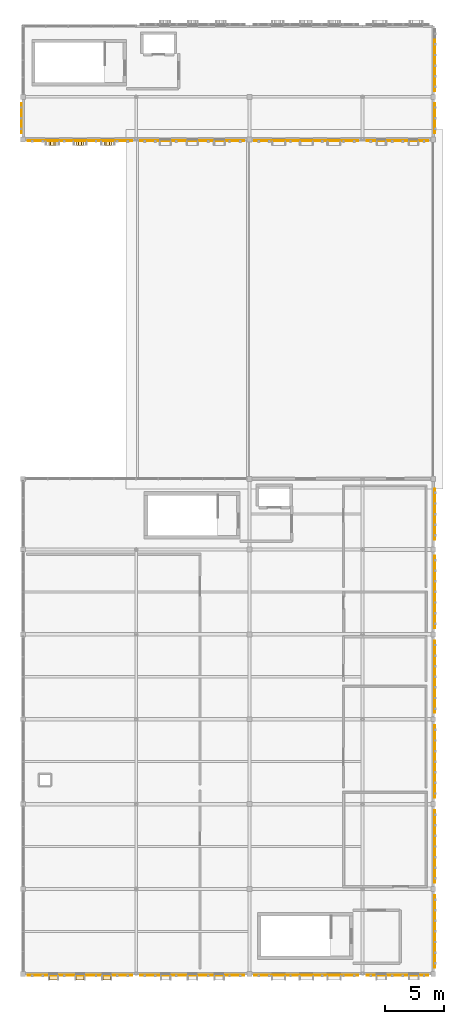
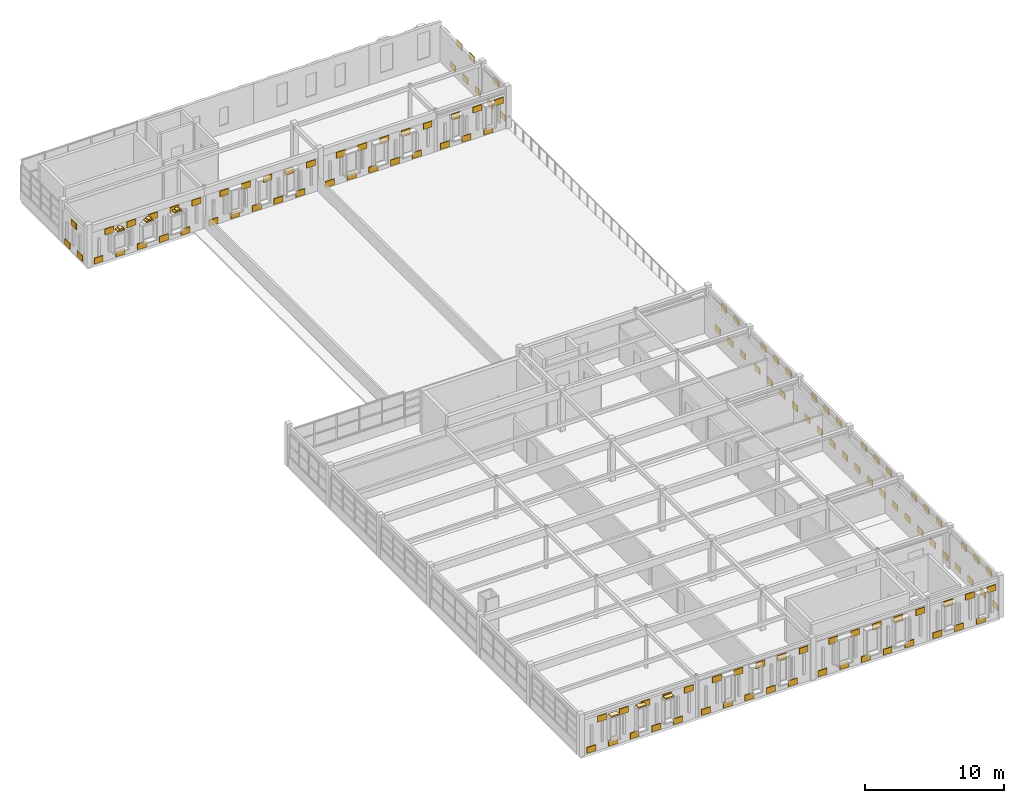
# One storey, part 24 of 25: 132 coverings.
"""IFC4 building model written with IfcOpenShell, lengths in metres."""

from ifc_helpers import new_model, si_unit, direction, frame, origin, origin_2d, place, context, subcontext, project, spatial, rectangle, extrude, material, layer, layer_set, type_object, element, save


model = new_model("IFC4")

# Units and contexts
model_context = context("Model", 3, precision=1e-05, world=origin(), true_north=direction((0.0, 1.0)))
body_context = subcontext(model_context, "Body", "Model", "MODEL_VIEW")
ifc_project = project(units=[si_unit("LENGTHUNIT", "METRE"), si_unit("AREAUNIT", "SQUARE_METRE"), si_unit("VOLUMEUNIT", "CUBIC_METRE"), si_unit("PLANEANGLEUNIT", "RADIAN"), si_unit("MASSUNIT", "GRAM", prefix="KILO")], contexts=[model_context])

# Site, building, storey
site_placement = place(None, origin())
site = spatial("IfcSite", under=ifc_project, at=site_placement, CompositionType="ELEMENT")
building_placement = place(site_placement, origin())
building = spatial("IfcBuilding", under=site, at=building_placement, Name="Nzembalo Square Collegiate School", CompositionType="ELEMENT")
storey_placement = place(building_placement, frame((0.0, 0.0, 21.080078125)))
storey = spatial("IfcBuildingStorey", under=building, at=storey_placement, Name="L05", CompositionType="ELEMENT", Elevation=21.080078125)

# Coverings
ifc_material_1 = material(Name="Glazed cobalt ceramic patterned tile")
ifc_layer_1 = layer(ifc_material_1, 0.074951171875, Name="Glazed cobalt ceramic patterned tile")
ifc_layer_set_1 = layer_set([ifc_layer_1], Name="Glazed cobalt ceramic patterned tile")
covering_type_1 = type_object("IfcCoveringType", Name="CL01", PredefinedType="CLADDING", material=ifc_layer_set_1)
for number, where, z_axis, x_axis, name in (
    (1, (165.735107421875, 9.300048828125, 0.099853515625), (0.0, 0.0, 1.0), (1.0, 0.0, 0.0), "Patterned ceramic tile CL01-Y0285-0-0"),
    (2, (165.735107421875, 10.199951171875, 2.533935546875), (0.0, 0.0, 1.0), (1.0, 0.0, 0.0), "Patterned ceramic tile CL01-Y0285-1-1"),
    (3, (165.735107421875, 11.10009765625, 0.099853515625), (0.0, 0.0, 1.0), (1.0, 0.0, 0.0), "Patterned ceramic tile CL01-Y0285-2-0"),
    (4, (165.735107421875, 12.0, 2.533935546875), (0.0, 0.0, 1.0), (1.0, 0.0, 0.0), "Patterned ceramic tile CL01-Y0285-3-1"),
    (5, (165.735107421875, 12.89990234375, 0.099853515625), (0.0, 0.0, 1.0), (1.0, 0.0, 0.0), "Patterned ceramic tile CL01-Y0285-4-0"),
    (6, (165.735107421875, 13.800048828125, 2.533935546875), (0.0, 0.0, 1.0), (1.0, 0.0, 0.0), "Patterned ceramic tile CL01-Y0285-5-1"),
    (7, (165.735107421875, 14.699951171875, 0.099853515625), (0.0, 0.0, 1.0), (1.0, 0.0, 0.0), "Patterned ceramic tile CL01-Y0285-6-0"),
    (8, (165.735107421875, 16.5, 0.099853515625), (0.0, 0.0, 1.0), (1.0, 0.0, 0.0), "Patterned ceramic tile CL01-Y0286-0-0"),
    (9, (165.735107421875, 17.39990234375, 2.533935546875), (0.0, 0.0, 1.0), (1.0, 0.0, 0.0), "Patterned ceramic tile CL01-Y0286-1-1"),
    (10, (165.735107421875, 18.300048828125, 0.099853515625), (0.0, 0.0, 1.0), (1.0, 0.0, 0.0), "Patterned ceramic tile CL01-Y0286-2-0"),
    (11, (165.735107421875, 19.199951171875, 2.533935546875), (0.0, 0.0, 1.0), (1.0, 0.0, 0.0), "Patterned ceramic tile CL01-Y0286-3-1"),
    (12, (165.735107421875, 20.10009765625, 0.099853515625), (0.0, 0.0, 1.0), (1.0, 0.0, 0.0), "Patterned ceramic tile CL01-Y0286-4-0"),
    (13, (165.735107421875, 21.0, 2.533935546875), (0.0, 0.0, 1.0), (1.0, 0.0, 0.0), "Patterned ceramic tile CL01-Y0286-5-1"),
    (14, (165.735107421875, 21.89990234375, 0.099853515625), (0.0, 0.0, 1.0), (1.0, 0.0, 0.0), "Patterned ceramic tile CL01-Y0286-6-0"),
    (15, (165.735107421875, 23.699951171875, 0.099853515625), (0.0, 0.0, 1.0), (1.0, 0.0, 0.0), "Patterned ceramic tile CL01-Y0287-0-0"),
    (16, (165.735107421875, 24.60009765625, 2.533935546875), (0.0, 0.0, 1.0), (1.0, 0.0, 0.0), "Patterned ceramic tile CL01-Y0287-1-1"),
    (17, (165.735107421875, 25.5, 0.099853515625), (0.0, 0.0, 1.0), (1.0, 0.0, 0.0), "Patterned ceramic tile CL01-Y0287-2-0"),
    (18, (165.735107421875, 26.39990234375, 2.533935546875), (0.0, 0.0, 1.0), (1.0, 0.0, 0.0), "Patterned ceramic tile CL01-Y0287-3-1"),
    (19, (165.735107421875, 27.300048828125, 0.099853515625), (0.0, 0.0, 1.0), (1.0, 0.0, 0.0), "Patterned ceramic tile CL01-Y0287-4-0"),
    (20, (165.735107421875, 28.199951171875, 2.533935546875), (0.0, 0.0, 1.0), (1.0, 0.0, 0.0), "Patterned ceramic tile CL01-Y0287-5-1"),
    (21, (165.735107421875, 29.10009765625, 0.099853515625), (0.0, 0.0, 1.0), (1.0, 0.0, 0.0), "Patterned ceramic tile CL01-Y0287-6-0"),
    (22, (165.735107421875, 30.89990234375, 0.099853515625), (0.0, 0.0, 1.0), (1.0, 0.0, 0.0), "Patterned ceramic tile CL01-Y0288-0-0"),
    (23, (165.735107421875, 31.800048828125, 2.533935546875), (0.0, 0.0, 1.0), (1.0, 0.0, 0.0), "Patterned ceramic tile CL01-Y0288-1-1"),
    (24, (165.735107421875, 32.699951171875, 0.099853515625), (0.0, 0.0, 1.0), (1.0, 0.0, 0.0), "Patterned ceramic tile CL01-Y0288-2-0"),
    (25, (165.735107421875, 33.60009765625, 2.533935546875), (0.0, 0.0, 1.0), (1.0, 0.0, 0.0), "Patterned ceramic tile CL01-Y0288-3-1"),
    (26, (165.735107421875, 34.5, 0.099853515625), (0.0, 0.0, 1.0), (1.0, 0.0, 0.0), "Patterned ceramic tile CL01-Y0288-4-0"),
    (27, (165.735107421875, 35.39990234375, 2.533935546875), (0.0, 0.0, 1.0), (1.0, 0.0, 0.0), "Patterned ceramic tile CL01-Y0288-5-1"),
    (28, (165.735107421875, 36.300048828125, 0.099853515625), (0.0, 0.0, 1.0), (1.0, 0.0, 0.0), "Patterned ceramic tile CL01-Y0288-6-0"),
    (29, (165.735107421875, 38.10009765625, 0.099853515625), (0.0, 0.0, 1.0), (1.0, 0.0, 0.0), "Patterned ceramic tile CL01-Y0289-0-0"),
    (30, (165.735107421875, 39.0, 2.533935546875), (0.0, 0.0, 1.0), (1.0, 0.0, 0.0), "Patterned ceramic tile CL01-Y0289-1-1"),
    (31, (165.735107421875, 39.89990234375, 0.099853515625), (0.0, 0.0, 1.0), (1.0, 0.0, 0.0), "Patterned ceramic tile CL01-Y0289-2-0"),
    (32, (165.735107421875, 40.800048828125, 2.533935546875), (0.0, 0.0, 1.0), (1.0, 0.0, 0.0), "Patterned ceramic tile CL01-Y0289-3-1"),
    (33, (165.735107421875, 41.699951171875, 0.099853515625), (0.0, 0.0, 1.0), (1.0, 0.0, 0.0), "Patterned ceramic tile CL01-Y0289-4-0"),
    (34, (165.735107421875, 42.60009765625, 2.533935546875), (0.0, 0.0, 1.0), (1.0, 0.0, 0.0), "Patterned ceramic tile CL01-Y0289-5-1"),
    (35, (165.735107421875, 43.5, 0.099853515625), (0.0, 0.0, 1.0), (1.0, 0.0, 0.0), "Patterned ceramic tile CL01-Y0289-6-0"),
    (36, (165.735107421875, 45.60009765625, 0.099853515625), (0.0, 0.0, 1.0), (1.0, 0.0, 0.0), "Patterned ceramic tile CL01-Y0290-0-0"),
    (37, (165.735107421875, 46.5, 2.533935546875), (0.0, 0.0, 1.0), (1.0, 0.0, 0.0), "Patterned ceramic tile CL01-Y0290-1-1"),
    (38, (165.735107421875, 47.39990234375, 0.099853515625), (0.0, 0.0, 1.0), (1.0, 0.0, 0.0), "Patterned ceramic tile CL01-Y0290-2-0"),
    (39, (165.735107421875, 48.300048828125, 2.533935546875), (0.0, 0.0, 1.0), (1.0, 0.0, 0.0), "Patterned ceramic tile CL01-Y0290-3-1"),
    (40, (165.735107421875, 49.199951171875, 0.099853515625), (0.0, 0.0, 1.0), (1.0, 0.0, 0.0), "Patterned ceramic tile CL01-Y0290-4-0"),
):
    element("IfcCovering", number, at=place(storey_placement, frame(where, z_axis=z_axis, x_axis=x_axis)), inside=storey, type_object=covering_type_1, Name=name, PredefinedType="CLADDING", context=body_context, shape_type="SweptSolid", body=[
        extrude(rectangle(XDim=0.074951171875, YDim=0.739990234375, at=origin_2d()), origin(), (0.0, 0.0, 1.0), 0.52001953125),
    ])
for number, where, z_axis, x_axis, name in (
    (41, (131.586669921875, 8.264892578125, 0.099853515625), (0.0, 0.0, 1.0), (1.0, 0.0, 0.0), "Patterned ceramic tile CL01-X0291-0-0"),
    (42, (132.48681640625, 8.264892578125, 2.533935546875), (0.0, 0.0, 1.0), (1.0, 0.0, 0.0), "Patterned ceramic tile CL01-X0291-1-1"),
    (43, (133.38671875, 8.264892578125, 0.099853515625), (0.0, 0.0, 1.0), (1.0, 0.0, 0.0), "Patterned ceramic tile CL01-X0291-2-0"),
    (44, (134.28662109375, 8.264892578125, 2.533935546875), (0.0, 0.0, 1.0), (1.0, 0.0, 0.0), "Patterned ceramic tile CL01-X0291-3-1"),
    (45, (135.186767578125, 8.264892578125, 0.099853515625), (0.0, 0.0, 1.0), (1.0, 0.0, 0.0), "Patterned ceramic tile CL01-X0291-4-0"),
    (46, (136.086669921875, 8.264892578125, 2.533935546875), (0.0, 0.0, 1.0), (1.0, 0.0, 0.0), "Patterned ceramic tile CL01-X0291-5-1"),
    (47, (136.98681640625, 8.264892578125, 0.099853515625), (0.0, 0.0, 1.0), (1.0, 0.0, 0.0), "Patterned ceramic tile CL01-X0291-6-0"),
    (48, (137.88671875, 8.264892578125, 2.533935546875), (0.0, 0.0, 1.0), (1.0, 0.0, 0.0), "Patterned ceramic tile CL01-X0291-7-1"),
    (49, (138.78662109375, 8.264892578125, 0.099853515625), (0.0, 0.0, 1.0), (1.0, 0.0, 0.0), "Patterned ceramic tile CL01-X0291-8-0"),
    (50, (139.686767578125, 8.264892578125, 2.533935546875), (0.0, 0.0, 1.0), (1.0, 0.0, 0.0), "Patterned ceramic tile CL01-X0291-9-1"),
    (51, (141.11328125, 8.264892578125, 0.099853515625), (0.0, 0.0, 1.0), (1.0, 0.0, 0.0), "Patterned ceramic tile CL01-X0292-0-0"),
    (52, (142.01318359375, 8.264892578125, 2.6240234375), (0.0, 0.0, 1.0), (1.0, 0.0, 0.0), "Patterned ceramic tile CL01-X0292-1-1"),
    (53, (142.913330078125, 8.264892578125, 0.099853515625), (0.0, 0.0, 1.0), (1.0, 0.0, 0.0), "Patterned ceramic tile CL01-X0292-2-0"),
    (54, (143.813232421875, 8.264892578125, 2.6240234375), (0.0, 0.0, 1.0), (1.0, 0.0, 0.0), "Patterned ceramic tile CL01-X0292-3-1"),
    (55, (144.713134765625, 8.264892578125, 0.099853515625), (0.0, 0.0, 1.0), (1.0, 0.0, 0.0), "Patterned ceramic tile CL01-X0292-4-0"),
    (56, (145.61328125, 8.264892578125, 2.6240234375), (0.0, 0.0, 1.0), (1.0, 0.0, 0.0), "Patterned ceramic tile CL01-X0292-5-1"),
    (57, (146.51318359375, 8.264892578125, 0.099853515625), (0.0, 0.0, 1.0), (1.0, 0.0, 0.0), "Patterned ceramic tile CL01-X0292-6-0"),
    (58, (147.413330078125, 8.264892578125, 2.6240234375), (0.0, 0.0, 1.0), (1.0, 0.0, 0.0), "Patterned ceramic tile CL01-X0292-7-1"),
    (59, (148.313232421875, 8.264892578125, 0.099853515625), (0.0, 0.0, 1.0), (1.0, 0.0, 0.0), "Patterned ceramic tile CL01-X0292-8-0"),
    (60, (149.213134765625, 8.264892578125, 2.6240234375), (0.0, 0.0, 1.0), (1.0, 0.0, 0.0), "Patterned ceramic tile CL01-X0292-9-1"),
    (61, (150.78662109375, 8.264892578125, 0.099853515625), (0.0, 0.0, 1.0), (1.0, 0.0, 0.0), "Patterned ceramic tile CL01-X0293-0-0"),
    (62, (151.686767578125, 8.264892578125, 2.6240234375), (0.0, 0.0, 1.0), (1.0, 0.0, 0.0), "Patterned ceramic tile CL01-X0293-1-1"),
    (63, (152.586669921875, 8.264892578125, 0.099853515625), (0.0, 0.0, 1.0), (1.0, 0.0, 0.0), "Patterned ceramic tile CL01-X0293-2-0"),
    (64, (153.48681640625, 8.264892578125, 2.6240234375), (0.0, 0.0, 1.0), (1.0, 0.0, 0.0), "Patterned ceramic tile CL01-X0293-3-1"),
    (65, (154.38671875, 8.264892578125, 0.099853515625), (0.0, 0.0, 1.0), (1.0, 0.0, 0.0), "Patterned ceramic tile CL01-X0293-4-0"),
    (66, (155.28662109375, 8.264892578125, 2.6240234375), (0.0, 0.0, 1.0), (1.0, 0.0, 0.0), "Patterned ceramic tile CL01-X0293-5-1"),
    (67, (156.186767578125, 8.264892578125, 0.099853515625), (0.0, 0.0, 1.0), (1.0, 0.0, 0.0), "Patterned ceramic tile CL01-X0293-6-0"),
    (68, (157.086669921875, 8.264892578125, 2.6240234375), (0.0, 0.0, 1.0), (1.0, 0.0, 0.0), "Patterned ceramic tile CL01-X0293-7-1"),
    (69, (157.98681640625, 8.264892578125, 0.099853515625), (0.0, 0.0, 1.0), (1.0, 0.0, 0.0), "Patterned ceramic tile CL01-X0293-8-0"),
    (70, (158.88671875, 8.264892578125, 2.6240234375), (0.0, 0.0, 1.0), (1.0, 0.0, 0.0), "Patterned ceramic tile CL01-X0293-9-1"),
    (71, (160.313232421875, 8.264892578125, 0.099853515625), (0.0, 0.0, 1.0), (1.0, 0.0, 0.0), "Patterned ceramic tile CL01-X0294-0-0"),
    (72, (161.213134765625, 8.264892578125, 2.533935546875), (0.0, 0.0, 1.0), (1.0, 0.0, 0.0), "Patterned ceramic tile CL01-X0294-1-1"),
    (73, (162.11328125, 8.264892578125, 0.099853515625), (0.0, 0.0, 1.0), (1.0, 0.0, 0.0), "Patterned ceramic tile CL01-X0294-2-0"),
    (74, (163.01318359375, 8.264892578125, 2.533935546875), (0.0, 0.0, 1.0), (1.0, 0.0, 0.0), "Patterned ceramic tile CL01-X0294-3-1"),
    (75, (163.9130859375, 8.264892578125, 0.099853515625), (0.0, 0.0, 1.0), (1.0, 0.0, 0.0), "Patterned ceramic tile CL01-X0294-4-0"),
    (76, (164.813232421875, 8.264892578125, 2.533935546875), (0.0, 0.0, 1.0), (1.0, 0.0, 0.0), "Patterned ceramic tile CL01-X0294-5-1"),
):
    element("IfcCovering", number, at=place(storey_placement, frame(where, z_axis=z_axis, x_axis=x_axis)), inside=storey, type_object=covering_type_1, Name=name, PredefinedType="CLADDING", context=body_context, shape_type="SweptSolid", body=[
        extrude(rectangle(XDim=0.739990234375, YDim=0.074951171875, at=origin_2d()), origin(), (0.0, 0.0, 1.0), 0.52001953125),
    ])
for number, where, z_axis, x_axis, name in (
    (77, (130.6650390625, 80.10009765625, 0.099853515625), (0.0, 0.0, 1.0), (1.0, 0.0, 0.0), "Patterned ceramic tile CL01-Y0295-0-0"),
    (78, (130.6650390625, 81.0, 2.343994140625), (0.0, 0.0, 1.0), (1.0, 0.0, 0.0), "Patterned ceramic tile CL01-Y0295-1-1"),
    (79, (130.6650390625, 81.89990234375, 0.099853515625), (0.0, 0.0, 1.0), (1.0, 0.0, 0.0), "Patterned ceramic tile CL01-Y0295-2-0"),
    (80, (165.735107421875, 80.10009765625, 0.099853515625), (0.0, 0.0, 1.0), (1.0, 0.0, 0.0), "Patterned ceramic tile CL01-Y0299-0-0"),
    (81, (165.735107421875, 81.0, 2.533935546875), (0.0, 0.0, 1.0), (1.0, 0.0, 0.0), "Patterned ceramic tile CL01-Y0299-1-1"),
    (82, (165.735107421875, 81.89990234375, 0.099853515625), (0.0, 0.0, 1.0), (1.0, 0.0, 0.0), "Patterned ceramic tile CL01-Y0299-2-0"),
    (83, (165.735107421875, 83.656005859375, 0.099853515625), (0.0, 0.0, 1.0), (1.0, 0.0, 0.0), "Patterned ceramic tile CL01-Y0300-0-0"),
    (84, (165.735107421875, 84.555908203125, 2.533935546875), (0.0, 0.0, 1.0), (1.0, 0.0, 0.0), "Patterned ceramic tile CL01-Y0300-1-1"),
    (85, (165.735107421875, 85.4560546875, 0.099853515625), (0.0, 0.0, 1.0), (1.0, 0.0, 0.0), "Patterned ceramic tile CL01-Y0300-2-0"),
    (86, (165.735107421875, 86.35595703125, 2.533935546875), (0.0, 0.0, 1.0), (1.0, 0.0, 0.0), "Patterned ceramic tile CL01-Y0300-3-1"),
    (87, (165.735107421875, 87.256103515625, 0.099853515625), (0.0, 0.0, 1.0), (1.0, 0.0, 0.0), "Patterned ceramic tile CL01-Y0300-4-0"),
):
    element("IfcCovering", number, at=place(storey_placement, frame(where, z_axis=z_axis, x_axis=x_axis)), inside=storey, type_object=covering_type_1, Name=name, PredefinedType="CLADDING", context=body_context, shape_type="SweptSolid", body=[
        extrude(rectangle(XDim=0.074951171875, YDim=0.739990234375, at=origin_2d()), origin(), (0.0, 0.0, 1.0), 0.52001953125),
    ])
for number, where, z_axis, x_axis, name in (
    (88, (131.586669921875, 79.06494140625, 0.099853515625), (0.0, 0.0, 1.0), (1.0, 0.0, 0.0), "Patterned ceramic tile CL01-X0301-0-0"),
    (89, (132.48681640625, 79.06494140625, 2.343994140625), (0.0, 0.0, 1.0), (1.0, 0.0, 0.0), "Patterned ceramic tile CL01-X0301-1-1"),
    (90, (133.38671875, 79.06494140625, 0.099853515625), (0.0, 0.0, 1.0), (1.0, 0.0, 0.0), "Patterned ceramic tile CL01-X0301-2-0"),
    (91, (134.28662109375, 79.06494140625, 2.343994140625), (0.0, 0.0, 1.0), (1.0, 0.0, 0.0), "Patterned ceramic tile CL01-X0301-3-1"),
    (92, (135.186767578125, 79.06494140625, 0.099853515625), (0.0, 0.0, 1.0), (1.0, 0.0, 0.0), "Patterned ceramic tile CL01-X0301-4-0"),
    (93, (136.086669921875, 79.06494140625, 2.343994140625), (0.0, 0.0, 1.0), (1.0, 0.0, 0.0), "Patterned ceramic tile CL01-X0301-5-1"),
    (94, (136.98681640625, 79.06494140625, 0.099853515625), (0.0, 0.0, 1.0), (1.0, 0.0, 0.0), "Patterned ceramic tile CL01-X0301-6-0"),
    (95, (137.88671875, 79.06494140625, 2.343994140625), (0.0, 0.0, 1.0), (1.0, 0.0, 0.0), "Patterned ceramic tile CL01-X0301-7-1"),
    (96, (138.78662109375, 79.06494140625, 0.099853515625), (0.0, 0.0, 1.0), (1.0, 0.0, 0.0), "Patterned ceramic tile CL01-X0301-8-0"),
    (97, (139.686767578125, 79.06494140625, 2.343994140625), (0.0, 0.0, 1.0), (1.0, 0.0, 0.0), "Patterned ceramic tile CL01-X0301-9-1"),
    (98, (141.11328125, 79.06494140625, 0.099853515625), (0.0, 0.0, 1.0), (1.0, 0.0, 0.0), "Patterned ceramic tile CL01-X0302-0-0"),
    (99, (142.01318359375, 79.06494140625, 2.343994140625), (0.0, 0.0, 1.0), (1.0, 0.0, 0.0), "Patterned ceramic tile CL01-X0302-1-1"),
    (100, (142.913330078125, 79.06494140625, 0.099853515625), (0.0, 0.0, 1.0), (1.0, 0.0, 0.0), "Patterned ceramic tile CL01-X0302-2-0"),
    (101, (143.813232421875, 79.06494140625, 2.343994140625), (0.0, 0.0, 1.0), (1.0, 0.0, 0.0), "Patterned ceramic tile CL01-X0302-3-1"),
    (102, (144.713134765625, 79.06494140625, 0.099853515625), (0.0, 0.0, 1.0), (1.0, 0.0, 0.0), "Patterned ceramic tile CL01-X0302-4-0"),
    (103, (145.61328125, 79.06494140625, 2.343994140625), (0.0, 0.0, 1.0), (1.0, 0.0, 0.0), "Patterned ceramic tile CL01-X0302-5-1"),
    (104, (146.51318359375, 79.06494140625, 0.099853515625), (0.0, 0.0, 1.0), (1.0, 0.0, 0.0), "Patterned ceramic tile CL01-X0302-6-0"),
    (105, (147.413330078125, 79.06494140625, 2.343994140625), (0.0, 0.0, 1.0), (1.0, 0.0, 0.0), "Patterned ceramic tile CL01-X0302-7-1"),
    (106, (148.313232421875, 79.06494140625, 0.099853515625), (0.0, 0.0, 1.0), (1.0, 0.0, 0.0), "Patterned ceramic tile CL01-X0302-8-0"),
    (107, (149.213134765625, 79.06494140625, 2.343994140625), (0.0, 0.0, 1.0), (1.0, 0.0, 0.0), "Patterned ceramic tile CL01-X0302-9-1"),
    (108, (150.78662109375, 79.06494140625, 0.099853515625), (0.0, 0.0, 1.0), (1.0, 0.0, 0.0), "Patterned ceramic tile CL01-X0303-0-0"),
    (109, (151.686767578125, 79.06494140625, 2.343994140625), (0.0, 0.0, 1.0), (1.0, 0.0, 0.0), "Patterned ceramic tile CL01-X0303-1-1"),
    (110, (152.586669921875, 79.06494140625, 0.099853515625), (0.0, 0.0, 1.0), (1.0, 0.0, 0.0), "Patterned ceramic tile CL01-X0303-2-0"),
    (111, (153.48681640625, 79.06494140625, 2.343994140625), (0.0, 0.0, 1.0), (1.0, 0.0, 0.0), "Patterned ceramic tile CL01-X0303-3-1"),
    (112, (154.38671875, 79.06494140625, 0.099853515625), (0.0, 0.0, 1.0), (1.0, 0.0, 0.0), "Patterned ceramic tile CL01-X0303-4-0"),
    (113, (155.28662109375, 79.06494140625, 2.343994140625), (0.0, 0.0, 1.0), (1.0, 0.0, 0.0), "Patterned ceramic tile CL01-X0303-5-1"),
    (114, (156.186767578125, 79.06494140625, 0.099853515625), (0.0, 0.0, 1.0), (1.0, 0.0, 0.0), "Patterned ceramic tile CL01-X0303-6-0"),
    (115, (157.086669921875, 79.06494140625, 2.343994140625), (0.0, 0.0, 1.0), (1.0, 0.0, 0.0), "Patterned ceramic tile CL01-X0303-7-1"),
    (116, (157.98681640625, 79.06494140625, 0.099853515625), (0.0, 0.0, 1.0), (1.0, 0.0, 0.0), "Patterned ceramic tile CL01-X0303-8-0"),
    (117, (158.88671875, 79.06494140625, 2.343994140625), (0.0, 0.0, 1.0), (1.0, 0.0, 0.0), "Patterned ceramic tile CL01-X0303-9-1"),
    (118, (160.313232421875, 79.06494140625, 0.099853515625), (0.0, 0.0, 1.0), (1.0, 0.0, 0.0), "Patterned ceramic tile CL01-X0304-0-0"),
    (119, (161.213134765625, 79.06494140625, 2.343994140625), (0.0, 0.0, 1.0), (1.0, 0.0, 0.0), "Patterned ceramic tile CL01-X0304-1-1"),
    (120, (162.11328125, 79.06494140625, 0.099853515625), (0.0, 0.0, 1.0), (1.0, 0.0, 0.0), "Patterned ceramic tile CL01-X0304-2-0"),
    (121, (163.01318359375, 79.06494140625, 2.343994140625), (0.0, 0.0, 1.0), (1.0, 0.0, 0.0), "Patterned ceramic tile CL01-X0304-3-1"),
    (122, (163.9130859375, 79.06494140625, 0.099853515625), (0.0, 0.0, 1.0), (1.0, 0.0, 0.0), "Patterned ceramic tile CL01-X0304-4-0"),
    (123, (164.813232421875, 79.06494140625, 2.343994140625), (0.0, 0.0, 1.0), (1.0, 0.0, 0.0), "Patterned ceramic tile CL01-X0304-5-1"),
):
    element("IfcCovering", number, at=place(storey_placement, frame(where, z_axis=z_axis, x_axis=x_axis)), inside=storey, type_object=covering_type_1, Name=name, PredefinedType="CLADDING", context=body_context, shape_type="SweptSolid", body=[
        extrude(rectangle(XDim=0.739990234375, YDim=0.074951171875, at=origin_2d()), origin(), (0.0, 0.0, 1.0), 0.52001953125),
    ])
ifc_material_2 = material(Name="Glazed celadon ceramic window frame")
ifc_layer_2 = layer(ifc_material_2, 0.419921875, Name="Glazed celadon ceramic window frame")
ifc_layer_set_2 = layer_set([ifc_layer_2], Name="Glazed celadon ceramic window frame")
covering_type_2 = type_object("IfcCoveringType", Name="WF01", PredefinedType="CLADDING", material=ifc_layer_set_2)
for number, where, z_axis, x_axis, name in (
    (124, (133.37451171875, 8.08740234375, 2.81982421875), (0.0, 0.0, 1.0), (1.0, 0.0, 0.0), "Pointed lancet gable WF01-1095-1"),
    (125, (135.63671875, 8.08740234375, 2.81982421875), (0.0, 0.0, 1.0), (1.0, 0.0, 0.0), "Pointed lancet gable WF01-1096-1"),
    (126, (137.899169921875, 8.08740234375, 2.81982421875), (0.0, 0.0, 1.0), (1.0, 0.0, 0.0), "Pointed lancet gable WF01-1097-1"),
):
    element("IfcCovering", number, at=place(storey_placement, frame(where, z_axis=z_axis, x_axis=x_axis)), inside=storey, type_object=covering_type_2, Name=name, PredefinedType="CLADDING", context=body_context, shape_type="SweptSolid", body=[
        extrude(rectangle(XDim=0.6689453125, YDim=0.419921875, at=origin_2d()), origin(), (0.0, 0.0, 1.0), 0.1201171875),
    ])
covering_1_placement = place(storey_placement, frame((133.281982421875, 78.887451171875, 2.47998046875), z_axis=(0.0, 0.0, 1.0), x_axis=(1.0, 0.0, 0.0)))
element("IfcCovering", 127, at=covering_1_placement, inside=storey, type_object=covering_type_2, Name="Pointed lancet gable WF01-1124-2", PredefinedType="CLADDING", context=body_context, shape_type="SweptSolid", body=[
    extrude(rectangle(XDim=0.60009765625, YDim=0.419921875, at=origin_2d()), origin(), (0.0, 0.0, 1.0), 0.1201171875),
])
covering_2_placement = place(storey_placement, frame((133.281982421875, 78.887451171875, 2.599853515625), z_axis=(0.0, 0.0, 1.0), x_axis=(1.0, 0.0, 0.0)))
element("IfcCovering", 128, at=covering_2_placement, inside=storey, type_object=covering_type_2, Name="Pointed lancet gable WF01-1124-3", PredefinedType="CLADDING", context=body_context, shape_type="SweptSolid", body=[
    extrude(rectangle(XDim=0.27490234375, YDim=0.419921875, at=origin_2d()), origin(), (0.0, 0.0, 1.0), 0.1201171875),
])
covering_3_placement = place(storey_placement, frame((135.63671875, 78.887451171875, 2.47998046875), z_axis=(0.0, 0.0, 1.0), x_axis=(1.0, 0.0, 0.0)))
element("IfcCovering", 129, at=covering_3_placement, inside=storey, type_object=covering_type_2, Name="Pointed lancet gable WF01-1125-2", PredefinedType="CLADDING", context=body_context, shape_type="SweptSolid", body=[
    extrude(rectangle(XDim=0.60009765625, YDim=0.419921875, at=origin_2d()), origin(), (0.0, 0.0, 1.0), 0.1201171875),
])
covering_4_placement = place(storey_placement, frame((135.63671875, 78.887451171875, 2.599853515625), z_axis=(0.0, 0.0, 1.0), x_axis=(1.0, 0.0, 0.0)))
element("IfcCovering", 130, at=covering_4_placement, inside=storey, type_object=covering_type_2, Name="Pointed lancet gable WF01-1125-3", PredefinedType="CLADDING", context=body_context, shape_type="SweptSolid", body=[
    extrude(rectangle(XDim=0.27490234375, YDim=0.419921875, at=origin_2d()), origin(), (0.0, 0.0, 1.0), 0.1201171875),
])
covering_5_placement = place(storey_placement, frame((137.99169921875, 78.887451171875, 2.47998046875), z_axis=(0.0, 0.0, 1.0), x_axis=(1.0, 0.0, 0.0)))
element("IfcCovering", 131, at=covering_5_placement, inside=storey, type_object=covering_type_2, Name="Pointed lancet gable WF01-1126-2", PredefinedType="CLADDING", context=body_context, shape_type="SweptSolid", body=[
    extrude(rectangle(XDim=0.60009765625, YDim=0.419921875, at=origin_2d()), origin(), (0.0, 0.0, 1.0), 0.1201171875),
])
covering_6_placement = place(storey_placement, frame((137.99169921875, 78.887451171875, 2.599853515625), z_axis=(0.0, 0.0, 1.0), x_axis=(1.0, 0.0, 0.0)))
element("IfcCovering", 132, at=covering_6_placement, inside=storey, type_object=covering_type_2, Name="Pointed lancet gable WF01-1126-3", PredefinedType="CLADDING", context=body_context, shape_type="SweptSolid", body=[
    extrude(rectangle(XDim=0.27490234375, YDim=0.419921875, at=origin_2d()), origin(), (0.0, 0.0, 1.0), 0.1201171875),
])

save(model, "model.ifc")
